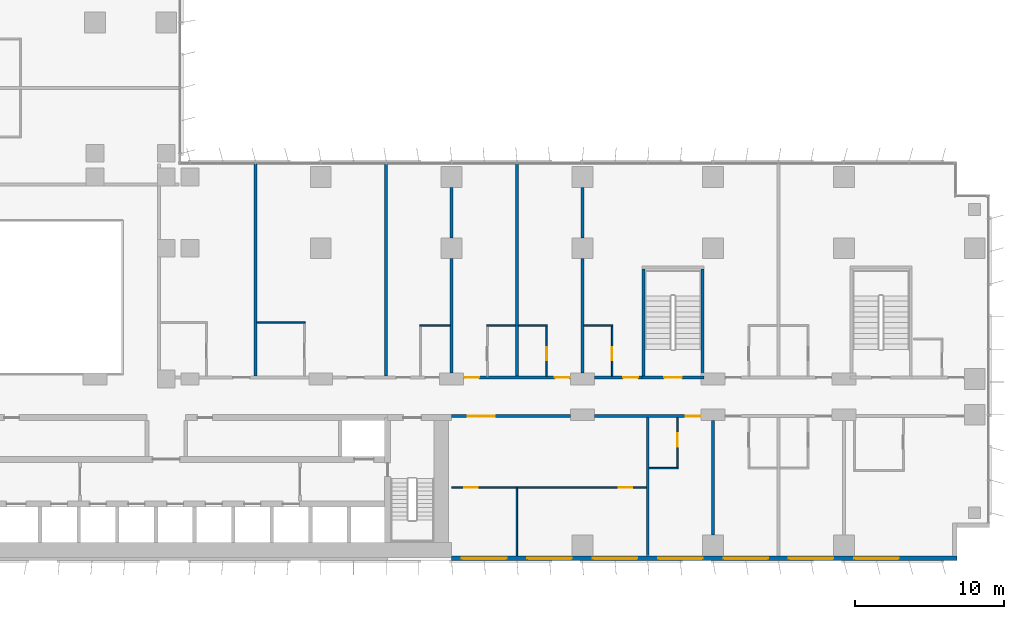
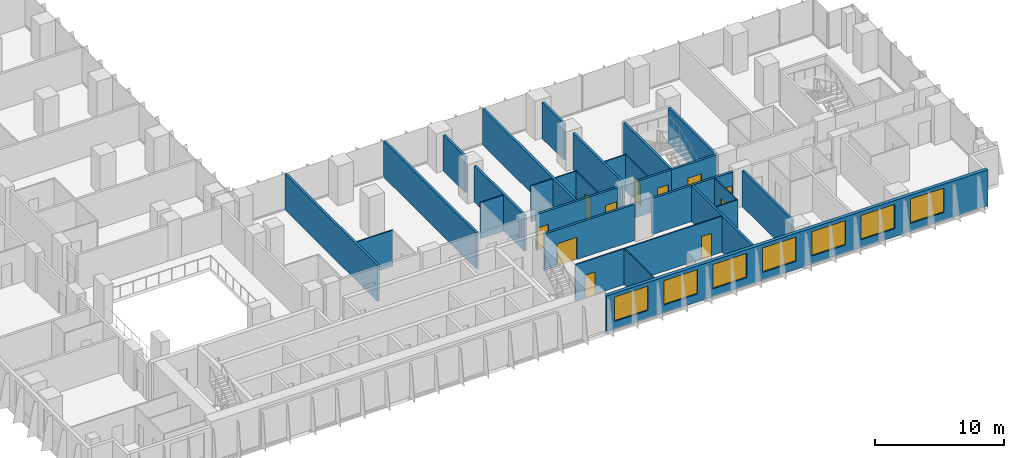
# One storey, part 14 of 24: 28 walls, 11 doors, 7 windows, 18 openings.
"""IFC4 building model written with IfcOpenShell, lengths in metres."""

from ifc_helpers import new_model, si_unit, direction, frame, frame_2d, origin, place, context, subcontext, project, spatial, rectangle, extrude, material, layer, layer_set, type_object, element, fill, save


model = new_model("IFC4")

# Units and contexts
model_context = context("Model", 3, precision=1e-05, world=origin(), true_north=direction((0.0, 1.0)))
body_context = subcontext(model_context, "Body", "Model", "MODEL_VIEW")
ifc_project = project(units=[si_unit("LENGTHUNIT", "METRE"), si_unit("AREAUNIT", "SQUARE_METRE"), si_unit("VOLUMEUNIT", "CUBIC_METRE"), si_unit("PLANEANGLEUNIT", "RADIAN"), si_unit("MASSUNIT", "GRAM", prefix="KILO")], contexts=[model_context])

# Site, building, storey
site_placement = place(None, origin())
site = spatial("IfcSite", under=ifc_project, at=site_placement, CompositionType="ELEMENT")
building_placement = place(site_placement, origin())
building = spatial("IfcBuilding", under=site, at=building_placement, Name="Kemantara Hotel Tower", CompositionType="ELEMENT")
storey_placement = place(building_placement, frame((0.0, 0.0, 48.800048828125)))
storey = spatial("IfcBuildingStorey", under=building, at=storey_placement, Name="L10", CompositionType="ELEMENT", Elevation=48.800048828125)

# Wall, openings, windows
ifc_material_1 = material(Name="Bronze anodised aluminium cladding on insulated steel stud wall", Category="steel")
ifc_layer_1 = layer(ifc_material_1, 0.300048828125)
ifc_layer_set_1 = layer_set([ifc_layer_1], Name="Bronze anodised aluminium cladding on insulated steel stud wall")
wall_type_1 = type_object("IfcWallType", Name="BRONZE METAL-CLAD EXTERNAL WALL 300", PredefinedType="STANDARD", material=ifc_layer_set_1)
wall_1_placement = place(storey_placement, frame((45.0, 0.14990234375, 0.0), z_axis=(0.0, 0.0, 1.0), x_axis=(1.0, 0.0, 0.0)))
wall_1 = element("IfcWall", 1, at=wall_1_placement, inside=storey, type_object=wall_type_1, Name="EXTERNAL WALL L10 T1-R01-3", PredefinedType="STANDARD", context=body_context, shape_type="SweptSolid", body=[
    extrude(rectangle(XDim=34.0, YDim=0.300048828125, at=frame_2d((17.0, 0.0))), origin(), (0.0, 0.0, 1.0), 3.39990234375),
])
opening_1_placement = place(wall_1_placement, frame((0.699951171875, 0.0, 0.75)))
opening_1 = element("IfcOpeningElement", 2, at=opening_1_placement, cuts=wall_1, Name="Opening W1", PredefinedType="OPENING", context=body_context, shape_type="SweptSolid", body=[
    extrude(rectangle(XDim=3.0, YDim=2.300048828125, at=frame_2d((1.5, 1.14990234375))), frame((0.0, 0.159912109375, 0.0), z_axis=(0.0, -1.0, 0.0), x_axis=(1.0, 0.0, 0.0)), (0.0, 0.0, 1.0), 0.320068359375),
])
opening_2_placement = place(wall_1_placement, frame((5.10009765625, 0.0, 0.75)))
opening_2 = element("IfcOpeningElement", 3, at=opening_2_placement, cuts=wall_1, Name="Opening W1", PredefinedType="OPENING", context=body_context, shape_type="SweptSolid", body=[
    extrude(rectangle(XDim=3.0, YDim=2.300048828125, at=frame_2d((1.5, 1.14990234375))), frame((0.0, 0.159912109375, 0.0), z_axis=(0.0, -1.0, 0.0), x_axis=(1.0, 0.0, 0.0)), (0.0, 0.0, 1.0), 0.320068359375),
])
opening_3_placement = place(wall_1_placement, frame((9.5, 0.0, 0.75)))
opening_3 = element("IfcOpeningElement", 4, at=opening_3_placement, cuts=wall_1, Name="Opening W1", PredefinedType="OPENING", context=body_context, shape_type="SweptSolid", body=[
    extrude(rectangle(XDim=3.0, YDim=2.300048828125, at=frame_2d((1.5, 1.14990234375))), frame((0.0, 0.159912109375, 0.0), z_axis=(0.0, -1.0, 0.0), x_axis=(1.0, 0.0, 0.0)), (0.0, 0.0, 1.0), 0.320068359375),
])
opening_4_placement = place(wall_1_placement, frame((13.89990234375, 0.0, 0.75)))
opening_4 = element("IfcOpeningElement", 5, at=opening_4_placement, cuts=wall_1, Name="Opening W1", PredefinedType="OPENING", context=body_context, shape_type="SweptSolid", body=[
    extrude(rectangle(XDim=3.0, YDim=2.300048828125, at=frame_2d((1.5, 1.14990234375))), frame((0.0, 0.159912109375, 0.0), z_axis=(0.0, -1.0, 0.0), x_axis=(1.0, 0.0, 0.0)), (0.0, 0.0, 1.0), 0.320068359375),
])
opening_5_placement = place(wall_1_placement, frame((18.300048828125, 0.0, 0.75)))
opening_5 = element("IfcOpeningElement", 6, at=opening_5_placement, cuts=wall_1, Name="Opening W1", PredefinedType="OPENING", context=body_context, shape_type="SweptSolid", body=[
    extrude(rectangle(XDim=3.0, YDim=2.300048828125, at=frame_2d((1.5, 1.14990234375))), frame((0.0, 0.159912109375, 0.0), z_axis=(0.0, -1.0, 0.0), x_axis=(1.0, 0.0, 0.0)), (0.0, 0.0, 1.0), 0.320068359375),
])
opening_6_placement = place(wall_1_placement, frame((22.699951171875, 0.0, 0.75)))
opening_6 = element("IfcOpeningElement", 7, at=opening_6_placement, cuts=wall_1, Name="Opening W1", PredefinedType="OPENING", context=body_context, shape_type="SweptSolid", body=[
    extrude(rectangle(XDim=3.0, YDim=2.300048828125, at=frame_2d((1.5, 1.14990234375))), frame((0.0, 0.159912109375, 0.0), z_axis=(0.0, -1.0, 0.0), x_axis=(1.0, 0.0, 0.0)), (0.0, 0.0, 1.0), 0.320068359375),
])
opening_7_placement = place(wall_1_placement, frame((27.10009765625, 0.0, 0.75)))
opening_7 = element("IfcOpeningElement", 8, at=opening_7_placement, cuts=wall_1, Name="Opening W1", PredefinedType="OPENING", context=body_context, shape_type="SweptSolid", body=[
    extrude(rectangle(XDim=3.0, YDim=2.300048828125, at=frame_2d((1.5, 1.14990234375))), frame((0.0, 0.159912109375, 0.0), z_axis=(0.0, -1.0, 0.0), x_axis=(1.0, 0.0, 0.0)), (0.0, 0.0, 1.0), 0.320068359375),
])
ifc_material_2 = material(Name="Low-E tinted double insulated glass in bronze anodised aluminium frame", Category="aluminium")
window_type = type_object("IfcWindowType", Name="CHICAGO WINDOW, TRIPLE PANEL 3000x2300", PartitioningType="TRIPLE_PANEL_VERTICAL", PredefinedType="WINDOW", material=ifc_material_2)
window_1_placement = place(opening_1_placement, origin())
window_1 = element("IfcWindow", 9, at=window_1_placement, inside=storey, type_object=window_type, Name="CHICAGO WINDOW L10 T1-R01-450", OverallHeight=2.300048828125, OverallWidth=3.0, PartitioningType="SINGLE_PANEL", PredefinedType="WINDOW", context=body_context, shape_type="SweptSolid", body=[
    extrude(rectangle(XDim=3.0, YDim=2.300048828125, at=frame_2d((1.5, 1.14990234375))), frame((0.0, 0.030029296875, 0.0), z_axis=(0.0, -1.0, 0.0), x_axis=(1.0, 0.0, 0.0)), (0.0, 0.0, 1.0), 0.06005859375),
])
fill(opening_1, window_1)
window_2_placement = place(opening_2_placement, origin())
window_2 = element("IfcWindow", 10, at=window_2_placement, inside=storey, type_object=window_type, Name="CHICAGO WINDOW L10 T1-R01-494", OverallHeight=2.300048828125, OverallWidth=3.0, PartitioningType="SINGLE_PANEL", PredefinedType="WINDOW", context=body_context, shape_type="SweptSolid", body=[
    extrude(rectangle(XDim=3.0, YDim=2.300048828125, at=frame_2d((1.5, 1.14990234375))), frame((0.0, 0.030029296875, 0.0), z_axis=(0.0, -1.0, 0.0), x_axis=(1.0, 0.0, 0.0)), (0.0, 0.0, 1.0), 0.06005859375),
])
fill(opening_2, window_2)
window_3_placement = place(opening_3_placement, origin())
window_3 = element("IfcWindow", 11, at=window_3_placement, inside=storey, type_object=window_type, Name="CHICAGO WINDOW L10 T1-R01-538", OverallHeight=2.300048828125, OverallWidth=3.0, PartitioningType="SINGLE_PANEL", PredefinedType="WINDOW", context=body_context, shape_type="SweptSolid", body=[
    extrude(rectangle(XDim=3.0, YDim=2.300048828125, at=frame_2d((1.5, 1.14990234375))), frame((0.0, 0.030029296875, 0.0), z_axis=(0.0, -1.0, 0.0), x_axis=(1.0, 0.0, 0.0)), (0.0, 0.0, 1.0), 0.06005859375),
])
fill(opening_3, window_3)
window_4_placement = place(opening_4_placement, origin())
window_4 = element("IfcWindow", 12, at=window_4_placement, inside=storey, type_object=window_type, Name="CHICAGO WINDOW L10 T1-R01-582", OverallHeight=2.300048828125, OverallWidth=3.0, PartitioningType="SINGLE_PANEL", PredefinedType="WINDOW", context=body_context, shape_type="SweptSolid", body=[
    extrude(rectangle(XDim=3.0, YDim=2.300048828125, at=frame_2d((1.5, 1.14990234375))), frame((0.0, 0.030029296875, 0.0), z_axis=(0.0, -1.0, 0.0), x_axis=(1.0, 0.0, 0.0)), (0.0, 0.0, 1.0), 0.06005859375),
])
fill(opening_4, window_4)
window_5_placement = place(opening_5_placement, origin())
window_5 = element("IfcWindow", 13, at=window_5_placement, inside=storey, type_object=window_type, Name="CHICAGO WINDOW L10 T1-R01-626", OverallHeight=2.300048828125, OverallWidth=3.0, PartitioningType="SINGLE_PANEL", PredefinedType="WINDOW", context=body_context, shape_type="SweptSolid", body=[
    extrude(rectangle(XDim=3.0, YDim=2.300048828125, at=frame_2d((1.5, 1.14990234375))), frame((0.0, 0.030029296875, 0.0), z_axis=(0.0, -1.0, 0.0), x_axis=(1.0, 0.0, 0.0)), (0.0, 0.0, 1.0), 0.06005859375),
])
fill(opening_5, window_5)
window_6_placement = place(opening_6_placement, origin())
window_6 = element("IfcWindow", 14, at=window_6_placement, inside=storey, type_object=window_type, Name="CHICAGO WINDOW L10 T1-R01-670", OverallHeight=2.300048828125, OverallWidth=3.0, PartitioningType="SINGLE_PANEL", PredefinedType="WINDOW", context=body_context, shape_type="SweptSolid", body=[
    extrude(rectangle(XDim=3.0, YDim=2.300048828125, at=frame_2d((1.5, 1.14990234375))), frame((0.0, 0.030029296875, 0.0), z_axis=(0.0, -1.0, 0.0), x_axis=(1.0, 0.0, 0.0)), (0.0, 0.0, 1.0), 0.06005859375),
])
fill(opening_6, window_6)
window_7_placement = place(opening_7_placement, origin())
window_7 = element("IfcWindow", 15, at=window_7_placement, inside=storey, type_object=window_type, Name="CHICAGO WINDOW L10 T1-R01-714", OverallHeight=2.300048828125, OverallWidth=3.0, PartitioningType="SINGLE_PANEL", PredefinedType="WINDOW", context=body_context, shape_type="SweptSolid", body=[
    extrude(rectangle(XDim=3.0, YDim=2.300048828125, at=frame_2d((1.5, 1.14990234375))), frame((0.0, 0.030029296875, 0.0), z_axis=(0.0, -1.0, 0.0), x_axis=(1.0, 0.0, 0.0)), (0.0, 0.0, 1.0), 0.06005859375),
])
fill(opening_7, window_7)

# Wall, opening, door
ifc_material_3 = material(Name="Gypsum board partition, steel studs and mineral wool, 200 mm", Category="steel")
ifc_layer_2 = layer(ifc_material_3, 0.199951171875)
ifc_layer_set_2 = layer_set([ifc_layer_2], Name="Gypsum board partition, steel studs and mineral wool, 200 mm")
wall_type_2 = type_object("IfcWallType", Name="CORRIDOR WALL 200", PredefinedType="PARTITIONING", material=ifc_layer_set_2)
wall_2_placement = place(storey_placement, frame((53.0, 9.699951171875, 0.0), z_axis=(0.0, 0.0, 1.0), x_axis=(-1.0, 0.0, 0.0)))
wall_2 = element("IfcWall", 16, at=wall_2_placement, inside=storey, type_object=wall_type_2, Name="CORRIDOR WALL 200 001", PredefinedType="PARTITIONING", context=body_context, shape_type="SweptSolid", body=[
    extrude(rectangle(XDim=8.0, YDim=0.199951171875, at=frame_2d((4.0, 0.0))), origin(), (0.0, 0.0, 1.0), 3.39990234375),
])
opening_8_placement = place(wall_2_placement, frame((5.099853515625, 0.0, 0.0)))
opening_8 = element("IfcOpeningElement", 17, at=opening_8_placement, cuts=wall_2, Name="Opening F03-001", PredefinedType="OPENING", context=body_context, shape_type="SweptSolid", body=[
    extrude(rectangle(XDim=1.800048828125, YDim=2.10009765625, at=frame_2d((0.89990234375, 1.050048828125))), frame((0.0, 0.10986328125, 0.0), z_axis=(0.0, -1.0, 0.0), x_axis=(1.0, 0.0, 0.0)), (0.0, 0.0, 1.0), 0.219970703125),
])
ifc_material_4 = material(Name="Hardwood veneer door leaf with steel frame", Category="steel")
door_type_1 = type_object("IfcDoorType", Name="AMENITY ROOM DOOR 1800 X 2100 FD30S", OperationType="NOTDEFINED", PredefinedType="DOOR", material=ifc_material_4)
door_1_placement = place(opening_8_placement, origin())
door_1 = element("IfcDoor", 18, at=door_1_placement, inside=storey, type_object=door_type_1, Name="AMENITY ROOM DOOR F03-001", OperationType="DOUBLE_DOOR_SINGLE_SWING", OverallHeight=2.10009765625, OverallWidth=1.800048828125, PredefinedType="DOOR", context=body_context, shape_type="SweptSolid", body=[
    extrude(rectangle(XDim=1.800048828125, YDim=2.10009765625, at=frame_2d((0.89990234375, 1.050048828125))), frame((0.0, 0.02490234375, 0.0), z_axis=(0.0, -1.0, 0.0), x_axis=(1.0, 0.0, 0.0)), (0.0, 0.0, 1.0), 0.050048828125),
])
fill(opening_8, door_1)

wall_3_placement = place(storey_placement, frame((61.7998046875, 9.699951171875, 0.0), z_axis=(0.0, 0.0, 1.0), x_axis=(-1.0, 0.0, 0.0)))
wall_3 = element("IfcWall", 19, at=wall_3_placement, inside=storey, type_object=wall_type_2, Name="CORRIDOR WALL 200 002", PredefinedType="PARTITIONING", context=body_context, shape_type="SweptSolid", body=[
    extrude(rectangle(XDim=7.19970703125, YDim=0.199951171875, at=frame_2d((3.599853515625, 0.0))), origin(), (0.0, 0.0, 1.0), 3.39990234375),
])
opening_9_placement = place(wall_3_placement, frame((0.0498046875, 0.0, 0.0)))
opening_9 = element("IfcOpeningElement", 20, at=opening_9_placement, cuts=wall_3, Name="Opening F03-004", PredefinedType="OPENING", context=body_context, shape_type="SweptSolid", body=[
    extrude(rectangle(XDim=1.0, YDim=2.10009765625, at=frame_2d((0.5, 1.050048828125))), frame((0.0, 0.10986328125, 0.0), z_axis=(0.0, -1.0, 0.0), x_axis=(1.0, 0.0, 0.0)), (0.0, 0.0, 1.0), 0.219970703125),
])
door_type_2 = type_object("IfcDoorType", Name="GUEST ROOM DOOR 1000 X 2100 FD30S", OperationType="NOTDEFINED", PredefinedType="DOOR", material=ifc_material_4)
door_2_placement = place(opening_9_placement, origin())
door_2 = element("IfcDoor", 21, at=door_2_placement, inside=storey, type_object=door_type_2, Name="GUEST ROOM DOOR F03-004", OperationType="SINGLE_SWING_LEFT", OverallHeight=2.10009765625, OverallWidth=1.0, PredefinedType="DOOR", context=body_context, shape_type="SweptSolid", body=[
    extrude(rectangle(XDim=1.0, YDim=2.10009765625, at=frame_2d((0.5, 1.050048828125))), frame((0.0, 0.02490234375, 0.0), z_axis=(0.0, -1.0, 0.0), x_axis=(1.0, 0.0, 0.0)), (0.0, 0.0, 1.0), 0.050048828125),
])
fill(opening_9, door_2)

# Wall, openings, doors
wall_4_placement = place(storey_placement, frame((45.800048828125, 12.300048828125, 0.0), z_axis=(0.0, 0.0, 1.0), x_axis=(1.0, 0.0, 0.0)))
wall_4 = element("IfcWall", 22, at=wall_4_placement, inside=storey, type_object=wall_type_2, Name="CORRIDOR WALL 200 013", PredefinedType="PARTITIONING", context=body_context, shape_type="SweptSolid", body=[
    extrude(rectangle(XDim=7.199951171875, YDim=0.199951171875, at=frame_2d((3.60009765625, 0.0))), origin(), (0.0, 0.0, 1.0), 3.39990234375),
])
opening_10_placement = place(wall_4_placement, frame((0.0498046875, 0.0, 0.0)))
opening_10 = element("IfcOpeningElement", 23, at=opening_10_placement, cuts=wall_4, Name="Opening F03-018", PredefinedType="OPENING", context=body_context, shape_type="SweptSolid", body=[
    extrude(rectangle(XDim=1.0, YDim=2.10009765625, at=frame_2d((0.5, 1.050048828125))), frame((0.0, 0.10986328125, 0.0), z_axis=(0.0, -1.0, 0.0), x_axis=(1.0, 0.0, 0.0)), (0.0, 0.0, 1.0), 0.219970703125),
])
opening_11_placement = place(wall_4_placement, frame((6.14990234375, 0.0, 0.0)))
opening_11 = element("IfcOpeningElement", 24, at=opening_11_placement, cuts=wall_4, Name="Opening F03-020", PredefinedType="OPENING", context=body_context, shape_type="SweptSolid", body=[
    extrude(rectangle(XDim=1.0, YDim=2.10009765625, at=frame_2d((0.5, 1.050048828125))), frame((0.0, 0.10986328125, 0.0), z_axis=(0.0, -1.0, 0.0), x_axis=(1.0, 0.0, 0.0)), (0.0, 0.0, 1.0), 0.219970703125),
])
door_3_placement = place(opening_10_placement, origin())
door_3 = element("IfcDoor", 25, at=door_3_placement, inside=storey, type_object=door_type_2, Name="GUEST ROOM DOOR F03-018", OperationType="SINGLE_SWING_LEFT", OverallHeight=2.10009765625, OverallWidth=1.0, PredefinedType="DOOR", context=body_context, shape_type="SweptSolid", body=[
    extrude(rectangle(XDim=1.0, YDim=2.10009765625, at=frame_2d((0.5, 1.050048828125))), frame((0.0, 0.02490234375, 0.0), z_axis=(0.0, -1.0, 0.0), x_axis=(1.0, 0.0, 0.0)), (0.0, 0.0, 1.0), 0.050048828125),
])
fill(opening_10, door_3)
door_4_placement = place(opening_11_placement, origin())
door_4 = element("IfcDoor", 26, at=door_4_placement, inside=storey, type_object=door_type_2, Name="GUEST ROOM DOOR F03-020", OperationType="SINGLE_SWING_RIGHT", OverallHeight=2.10009765625, OverallWidth=1.0, PredefinedType="DOOR", context=body_context, shape_type="SweptSolid", body=[
    extrude(rectangle(XDim=1.0, YDim=2.10009765625, at=frame_2d((0.5, 1.050048828125))), frame((0.0, 0.02490234375, 0.0), z_axis=(0.0, -1.0, 0.0), x_axis=(1.0, 0.0, 0.0)), (0.0, 0.0, 1.0), 0.050048828125),
])
fill(opening_11, door_4)

# Wall, opening, door
wall_5_placement = place(storey_placement, frame((54.60009765625, 12.300048828125, 0.0), z_axis=(0.0, 0.0, 1.0), x_axis=(1.0, 0.0, 0.0)))
wall_5 = element("IfcWall", 27, at=wall_5_placement, inside=storey, type_object=wall_type_2, Name="CORRIDOR WALL 200 014", PredefinedType="PARTITIONING", context=body_context, shape_type="SweptSolid", body=[
    extrude(rectangle(XDim=3.199951171875, YDim=0.199951171875, at=frame_2d((1.60009765625, 0.0))), origin(), (0.0, 0.0, 1.0), 3.39990234375),
])
opening_12_placement = place(wall_5_placement, frame((1.949951171875, 0.0, 0.0)))
opening_12 = element("IfcOpeningElement", 28, at=opening_12_placement, cuts=wall_5, Name="Opening F03-022", PredefinedType="OPENING", context=body_context, shape_type="SweptSolid", body=[
    extrude(rectangle(XDim=1.0, YDim=2.10009765625, at=frame_2d((0.5, 1.050048828125))), frame((0.0, 0.10986328125, 0.0), z_axis=(0.0, -1.0, 0.0), x_axis=(1.0, 0.0, 0.0)), (0.0, 0.0, 1.0), 0.219970703125),
])
door_5_placement = place(opening_12_placement, origin())
door_5 = element("IfcDoor", 29, at=door_5_placement, inside=storey, type_object=door_type_2, Name="GUEST ROOM DOOR F03-022", OperationType="SINGLE_SWING_RIGHT", OverallHeight=2.10009765625, OverallWidth=1.0, PredefinedType="DOOR", context=body_context, shape_type="SweptSolid", body=[
    extrude(rectangle(XDim=1.0, YDim=2.10009765625, at=frame_2d((0.5, 1.050048828125))), frame((0.0, 0.02490234375, 0.0), z_axis=(0.0, -1.0, 0.0), x_axis=(1.0, 0.0, 0.0)), (0.0, 0.0, 1.0), 0.050048828125),
])
fill(opening_12, door_5)

ifc_material_5 = material(Name="Concrete fc 40 MPa", Category="concrete")
ifc_layer_3 = layer(ifc_material_5, 0.199951171875)
ifc_layer_set_3 = layer_set([ifc_layer_3], Name="Concrete fc 40 MPa")
wall_type_3 = type_object("IfcWallType", Name="Concrete stair wall 200 mm", PredefinedType="SHEAR", material=ifc_layer_set_3)
wall_6_placement = place(storey_placement, frame((57.800048828125, 12.300048828125, 0.0), z_axis=(0.0, 0.0, 1.0), x_axis=(1.0, 0.0, 0.0)))
wall_6 = element("IfcWall", 30, at=wall_6_placement, inside=storey, type_object=wall_type_3, Name="Stair ST3 enclosure wall with door", PredefinedType="SHEAR", context=body_context, shape_type="SweptSolid", body=[
    extrude(rectangle(XDim=4.199951171875, YDim=0.199951171875, at=frame_2d((2.10009765625, 0.0))), origin(), (0.0, 0.0, 1.0), 3.39990234375),
])
opening_13_placement = place(wall_6_placement, frame((1.5, 0.0, 0.0)))
opening_13 = element("IfcOpeningElement", 31, at=opening_13_placement, cuts=wall_6, Name="Opening ST3-C", PredefinedType="OPENING", context=body_context, shape_type="SweptSolid", body=[
    extrude(rectangle(XDim=1.199951171875, YDim=2.10009765625, at=frame_2d((0.60009765625, 1.050048828125))), frame((0.0, 0.10986328125, 0.0), z_axis=(0.0, -1.0, 0.0), x_axis=(1.0, 0.0, 0.0)), (0.0, 0.0, 1.0), 0.219970703125),
])
ifc_material_6 = material(Name="Steel fire door", Category="steel")
door_type_3 = type_object("IfcDoorType", Name="Fire door FD90 1200 x 2100", OperationType="NOTDEFINED", PredefinedType="DOOR", material=ifc_material_6)
door_6_placement = place(opening_13_placement, origin())
door_6 = element("IfcDoor", 32, at=door_6_placement, inside=storey, type_object=door_type_3, Name="Stair ST3 door", OperationType="SINGLE_SWING_RIGHT", OverallHeight=2.10009765625, OverallWidth=1.199951171875, PredefinedType="DOOR", context=body_context, shape_type="SweptSolid", body=[
    extrude(rectangle(XDim=1.199951171875, YDim=2.10009765625, at=frame_2d((0.60009765625, 1.050048828125))), frame((0.0, 0.02490234375, 0.0), z_axis=(0.0, -1.0, 0.0), x_axis=(1.0, 0.0, 0.0)), (0.0, 0.0, 1.0), 0.050048828125),
])
fill(opening_13, door_6)

# Walls
for number, where, z_axis, x_axis, name in (
    (33, (57.89990234375, 12.39990234375, 0.0), (0.0, 0.0, 1.0), (0.0, 1.0, 0.0), "Stair ST3 enclosure wall W"),
    (34, (61.89990234375, 12.39990234375, 0.0), (0.0, 0.0, 1.0), (0.0, 1.0, 0.0), "Stair ST3 enclosure wall E"),
):
    element("IfcWall", number, at=place(storey_placement, frame(where, z_axis=z_axis, x_axis=x_axis)), inside=storey, type_object=wall_type_3, Name=name, PredefinedType="SHEAR", context=body_context, shape_type="SweptSolid", body=[
        extrude(rectangle(XDim=7.2001953125, YDim=0.199951171875, at=frame_2d((3.60009765625, 0.0))), origin(), (0.0, 0.0, 1.0), 3.39990234375),
    ])
ifc_layer_4 = layer(ifc_material_3, 0.199951171875)
ifc_layer_set_4 = layer_set([ifc_layer_4], Name="Gypsum board partition, steel studs and mineral wool, 200 mm")
wall_type_4 = type_object("IfcWallType", Name="GUEST ROOM PARTY WALL 200", PredefinedType="PARTITIONING", material=ifc_layer_set_4)
wall_7_placement = place(storey_placement, frame((58.199951171875, 0.31005859375, 0.0), z_axis=(0.0, 0.0, 1.0), x_axis=(0.0, 1.0, 0.0)))
element("IfcWall", 35, at=wall_7_placement, inside=storey, type_object=wall_type_4, Name="GUEST ROOM PARTY WALL 200 005", PredefinedType="PARTITIONING", context=body_context, shape_type="SweptSolid", body=[
    extrude(rectangle(XDim=9.2900390625, YDim=0.199951171875, at=frame_2d((4.64501953125, 0.0))), origin(), (0.0, 0.0, 1.0), 3.39990234375),
])
wall_8_placement = place(storey_placement, frame((62.60009765625, 1.7001953125, 0.0), z_axis=(0.0, 0.0, 1.0), x_axis=(0.0, 1.0, 0.0)))
element("IfcWall", 36, at=wall_8_placement, inside=storey, type_object=wall_type_4, Name="GUEST ROOM PARTY WALL 200 006", PredefinedType="PARTITIONING", context=body_context, shape_type="SweptSolid", body=[
    extrude(rectangle(XDim=7.69970703125, YDim=0.199951171875, at=frame_2d((3.849853515625, 0.0))), origin(), (0.0, 0.0, 1.0), 3.39990234375),
])
for number, where, z_axis, x_axis, name in (
    (37, (31.800048828125, 12.39990234375, 0.0), (0.0, 0.0, 1.0), (0.0, 1.0, 0.0), "GUEST ROOM PARTY WALL 200 020"),
    (38, (40.60009765625, 12.39990234375, 0.0), (0.0, 0.0, 1.0), (0.0, 1.0, 0.0), "GUEST ROOM PARTY WALL 200 021"),
):
    element("IfcWall", number, at=place(storey_placement, frame(where, z_axis=z_axis, x_axis=x_axis)), inside=storey, type_object=wall_type_4, Name=name, PredefinedType="PARTITIONING", context=body_context, shape_type="SweptSolid", body=[
        extrude(rectangle(XDim=14.27001953125, YDim=0.199951171875, at=frame_2d((7.135009765625, 0.0))), origin(), (0.0, 0.0, 1.0), 3.39990234375),
    ])
wall_9_placement = place(storey_placement, frame((45.0, 12.60009765625, 0.0), z_axis=(0.0, 0.0, 1.0), x_axis=(0.0, 1.0, 0.0)))
element("IfcWall", 39, at=wall_9_placement, inside=storey, type_object=wall_type_4, Name="GUEST ROOM PARTY WALL 200 022", PredefinedType="PARTITIONING", context=body_context, shape_type="SweptSolid", body=[
    extrude(rectangle(XDim=7.69970703125, YDim=0.199951171875, at=frame_2d((3.849853515625, 0.0))), origin(), (0.0, 0.0, 1.0), 3.39990234375),
])
wall_10_placement = place(storey_placement, frame((45.0, 21.7001953125, 0.0), z_axis=(0.0, 0.0, 1.0), x_axis=(0.0, 1.0, 0.0)))
element("IfcWall", 40, at=wall_10_placement, inside=storey, type_object=wall_type_4, Name="GUEST ROOM PARTY WALL 200 023", PredefinedType="PARTITIONING", context=body_context, shape_type="SweptSolid", body=[
    extrude(rectangle(XDim=3.399658203125, YDim=0.199951171875, at=frame_2d((1.69970703125, 0.0))), origin(), (0.0, 0.0, 1.0), 3.39990234375),
])
wall_11_placement = place(storey_placement, frame((49.39990234375, 12.39990234375, 0.0), z_axis=(0.0, 0.0, 1.0), x_axis=(0.0, 1.0, 0.0)))
element("IfcWall", 41, at=wall_11_placement, inside=storey, type_object=wall_type_4, Name="GUEST ROOM PARTY WALL 200 024", PredefinedType="PARTITIONING", context=body_context, shape_type="SweptSolid", body=[
    extrude(rectangle(XDim=14.27001953125, YDim=0.199951171875, at=frame_2d((7.135009765625, 0.0))), origin(), (0.0, 0.0, 1.0), 3.39990234375),
])
wall_12_placement = place(storey_placement, frame((53.800048828125, 12.60009765625, 0.0), z_axis=(0.0, 0.0, 1.0), x_axis=(0.0, 1.0, 0.0)))
element("IfcWall", 42, at=wall_12_placement, inside=storey, type_object=wall_type_4, Name="GUEST ROOM PARTY WALL 200 025", PredefinedType="PARTITIONING", context=body_context, shape_type="SweptSolid", body=[
    extrude(rectangle(XDim=7.69970703125, YDim=0.199951171875, at=frame_2d((3.849853515625, 0.0))), origin(), (0.0, 0.0, 1.0), 3.39990234375),
])
wall_13_placement = place(storey_placement, frame((53.800048828125, 21.7001953125, 0.0), z_axis=(0.0, 0.0, 1.0), x_axis=(0.0, 1.0, 0.0)))
element("IfcWall", 43, at=wall_13_placement, inside=storey, type_object=wall_type_4, Name="GUEST ROOM PARTY WALL 200 026", PredefinedType="PARTITIONING", context=body_context, shape_type="SweptSolid", body=[
    extrude(rectangle(XDim=3.399658203125, YDim=0.199951171875, at=frame_2d((1.69970703125, 0.0))), origin(), (0.0, 0.0, 1.0), 3.39990234375),
])

# Wall, openings, doors
ifc_material_7 = material(Name="Gypsum board partition on steel studs, 100 mm", Category="steel")
ifc_layer_5 = layer(ifc_material_7, 0.10009765625)
ifc_layer_set_5 = layer_set([ifc_layer_5], Name="Gypsum board partition on steel studs, 100 mm")
wall_type_5 = type_object("IfcWallType", Name="ROOM PARTITION 100", PredefinedType="PARTITIONING", material=ifc_layer_set_5)
wall_14_placement = place(storey_placement, frame((58.10009765625, 4.89990234375, 0.0), z_axis=(0.0, 0.0, 1.0), x_axis=(-1.0, 0.0, 0.0)))
wall_14 = element("IfcWall", 44, at=wall_14_placement, inside=storey, type_object=wall_type_5, Name="ROOM PARTITION 100 062", PredefinedType="PARTITIONING", context=body_context, shape_type="SweptSolid", body=[
    extrude(rectangle(XDim=13.10009765625, YDim=0.10009765625, at=frame_2d((6.550048828125, 0.0))), origin(), (0.0, 0.0, 1.0), 3.39990234375),
])
opening_14_placement = place(wall_14_placement, frame((11.35009765625, 0.0, 0.0)))
opening_14 = element("IfcOpeningElement", 45, at=opening_14_placement, cuts=wall_14, Name="Opening F03-002", PredefinedType="OPENING", context=body_context, shape_type="SweptSolid", body=[
    extrude(rectangle(XDim=0.89990234375, YDim=2.10009765625, at=frame_2d((0.449951171875, 1.050048828125))), frame((0.0, 0.06005859375, 0.0), z_axis=(0.0, -1.0, 0.0), x_axis=(1.0, 0.0, 0.0)), (0.0, 0.0, 1.0), 0.1201171875),
])
opening_15_placement = place(wall_14_placement, frame((0.949951171875, 0.0, 0.0)))
opening_15 = element("IfcOpeningElement", 46, at=opening_15_placement, cuts=wall_14, Name="Opening F03-003", PredefinedType="OPENING", context=body_context, shape_type="SweptSolid", body=[
    extrude(rectangle(XDim=0.89990234375, YDim=2.10009765625, at=frame_2d((0.449951171875, 1.050048828125))), frame((0.0, 0.06005859375, 0.0), z_axis=(0.0, -1.0, 0.0), x_axis=(1.0, 0.0, 0.0)), (0.0, 0.0, 1.0), 0.1201171875),
])
door_type_4 = type_object("IfcDoorType", Name="INTERNAL DOOR 900 X 2100", OperationType="NOTDEFINED", PredefinedType="DOOR", material=ifc_material_4)
door_7_placement = place(opening_14_placement, origin())
door_7 = element("IfcDoor", 47, at=door_7_placement, inside=storey, type_object=door_type_4, Name="INTERNAL DOOR F03-002", OperationType="SINGLE_SWING_RIGHT", OverallHeight=2.10009765625, OverallWidth=0.89990234375, PredefinedType="DOOR", context=body_context, shape_type="SweptSolid", body=[
    extrude(rectangle(XDim=0.89990234375, YDim=2.10009765625, at=frame_2d((0.449951171875, 1.050048828125))), frame((0.0, 0.02490234375, 0.0), z_axis=(0.0, -1.0, 0.0), x_axis=(1.0, 0.0, 0.0)), (0.0, 0.0, 1.0), 0.050048828125),
])
fill(opening_14, door_7)
door_8_placement = place(opening_15_placement, origin())
door_8 = element("IfcDoor", 48, at=door_8_placement, inside=storey, type_object=door_type_4, Name="INTERNAL DOOR F03-003", OperationType="SINGLE_SWING_LEFT", OverallHeight=2.10009765625, OverallWidth=0.89990234375, PredefinedType="DOOR", context=body_context, shape_type="SweptSolid", body=[
    extrude(rectangle(XDim=0.89990234375, YDim=2.10009765625, at=frame_2d((0.449951171875, 1.050048828125))), frame((0.0, 0.02490234375, 0.0), z_axis=(0.0, -1.0, 0.0), x_axis=(1.0, 0.0, 0.0)), (0.0, 0.0, 1.0), 0.050048828125),
])
fill(opening_15, door_8)

# Walls
wall_15_placement = place(storey_placement, frame((49.39990234375, 0.31005859375, 0.0), z_axis=(0.0, 0.0, 1.0), x_axis=(0.0, 1.0, 0.0)))
element("IfcWall", 49, at=wall_15_placement, inside=storey, type_object=wall_type_5, Name="ROOM PARTITION 100 063", PredefinedType="PARTITIONING", context=body_context, shape_type="SweptSolid", body=[
    extrude(rectangle(XDim=4.5400390625, YDim=0.10009765625, at=frame_2d((2.27001953125, 0.0))), origin(), (0.0, 0.0, 1.0), 3.39990234375),
])
wall_16_placement = place(storey_placement, frame((58.300048828125, 6.199951171875, 0.0), z_axis=(0.0, 0.0, 1.0), x_axis=(1.0, 0.0, 0.0)))
element("IfcWall", 50, at=wall_16_placement, inside=storey, type_object=wall_type_5, Name="ROOM PARTITION 100 064", PredefinedType="PARTITIONING", context=body_context, shape_type="SweptSolid", body=[
    extrude(rectangle(XDim=1.949951171875, YDim=0.10009765625, at=frame_2d((0.97509765625, 0.0))), origin(), (0.0, 0.0, 1.0), 3.39990234375),
])

# Wall, opening, door
wall_17_placement = place(storey_placement, frame((60.199951171875, 6.25, 0.0), z_axis=(0.0, 0.0, 1.0), x_axis=(0.0, 1.0, 0.0)))
wall_17 = element("IfcWall", 51, at=wall_17_placement, inside=storey, type_object=wall_type_5, Name="ROOM PARTITION 100 067", PredefinedType="PARTITIONING", context=body_context, shape_type="SweptSolid", body=[
    extrude(rectangle(XDim=3.35009765625, YDim=0.10009765625, at=frame_2d((1.675048828125, 0.0))), origin(), (0.0, 0.0, 1.0), 3.39990234375),
])
opening_16_placement = place(wall_17_placement, frame((1.39990234375, 0.0, 0.0)))
opening_16 = element("IfcOpeningElement", 52, at=opening_16_placement, cuts=wall_17, Name="Opening F03-005", PredefinedType="OPENING", context=body_context, shape_type="SweptSolid", body=[
    extrude(rectangle(XDim=0.89990234375, YDim=2.10009765625, at=frame_2d((0.449951171875, 1.050048828125))), frame((0.0, 0.06005859375, 0.0), z_axis=(0.0, -1.0, 0.0), x_axis=(1.0, 0.0, 0.0)), (0.0, 0.0, 1.0), 0.1201171875),
])
door_type_5 = type_object("IfcDoorType", Name="BATHROOM DOOR 900 X 2100", OperationType="NOTDEFINED", PredefinedType="DOOR", material=ifc_material_4)
door_9_placement = place(opening_16_placement, origin())
door_9 = element("IfcDoor", 53, at=door_9_placement, inside=storey, type_object=door_type_5, Name="BATHROOM DOOR F03-005", OperationType="SINGLE_SWING_RIGHT", OverallHeight=2.10009765625, OverallWidth=0.89990234375, PredefinedType="DOOR", context=body_context, shape_type="SweptSolid", body=[
    extrude(rectangle(XDim=0.89990234375, YDim=2.10009765625, at=frame_2d((0.449951171875, 1.050048828125))), frame((0.0, 0.02490234375, 0.0), z_axis=(0.0, -1.0, 0.0), x_axis=(1.0, 0.0, 0.0)), (0.0, 0.0, 1.0), 0.050048828125),
])
fill(opening_16, door_9)

# Walls
wall_18_placement = place(storey_placement, frame((31.89990234375, 16.0, 0.0), z_axis=(0.0, 0.0, 1.0), x_axis=(1.0, 0.0, 0.0)))
element("IfcWall", 54, at=wall_18_placement, inside=storey, type_object=wall_type_5, Name="ROOM PARTITION 100 076", PredefinedType="PARTITIONING", context=body_context, shape_type="SweptSolid", body=[
    extrude(rectangle(XDim=3.25, YDim=0.10009765625, at=frame_2d((1.625, 0.0))), origin(), (0.0, 0.0, 1.0), 3.39990234375),
])
wall_19_placement = place(storey_placement, frame((42.85009765625, 15.800048828125, 0.0), z_axis=(0.0, 0.0, 1.0), x_axis=(1.0, 0.0, 0.0)))
element("IfcWall", 55, at=wall_19_placement, inside=storey, type_object=wall_type_5, Name="ROOM PARTITION 100 079", PredefinedType="PARTITIONING", context=body_context, shape_type="SweptSolid", body=[
    extrude(rectangle(XDim=2.0498046875, YDim=0.10009765625, at=frame_2d((1.02490234375, 0.0))), origin(), (0.0, 0.0, 1.0), 3.39990234375),
])
for number, where, z_axis, x_axis, name in (
    (56, (47.35009765625, 15.800048828125, 0.0), (0.0, 0.0, 1.0), (1.0, 0.0, 0.0), "ROOM PARTITION 100 080"),
    (57, (49.5, 15.800048828125, 0.0), (0.0, 0.0, 1.0), (1.0, 0.0, 0.0), "ROOM PARTITION 100 081"),
):
    element("IfcWall", number, at=place(storey_placement, frame(where, z_axis=z_axis, x_axis=x_axis)), inside=storey, type_object=wall_type_5, Name=name, PredefinedType="PARTITIONING", context=body_context, shape_type="SweptSolid", body=[
        extrude(rectangle(XDim=1.949951171875, YDim=0.10009765625, at=frame_2d((0.97509765625, 0.0))), origin(), (0.0, 0.0, 1.0), 3.39990234375),
    ])
wall_20_placement = place(storey_placement, frame((53.89990234375, 15.800048828125, 0.0), z_axis=(0.0, 0.0, 1.0), x_axis=(1.0, 0.0, 0.0)))
element("IfcWall", 58, at=wall_20_placement, inside=storey, type_object=wall_type_5, Name="ROOM PARTITION 100 082", PredefinedType="PARTITIONING", context=body_context, shape_type="SweptSolid", body=[
    extrude(rectangle(XDim=1.9501953125, YDim=0.10009765625, at=frame_2d((0.97509765625, 0.0))), origin(), (0.0, 0.0, 1.0), 3.39990234375),
])

# Wall, opening, door
wall_21_placement = place(storey_placement, frame((51.39990234375, 12.39990234375, 0.0), z_axis=(0.0, 0.0, 1.0), x_axis=(0.0, 1.0, 0.0)))
wall_21 = element("IfcWall", 59, at=wall_21_placement, inside=storey, type_object=wall_type_5, Name="ROOM PARTITION 100 087", PredefinedType="PARTITIONING", context=body_context, shape_type="SweptSolid", body=[
    extrude(rectangle(XDim=3.35009765625, YDim=0.10009765625, at=frame_2d((1.675048828125, 0.0))), origin(), (0.0, 0.0, 1.0), 3.39990234375),
])
opening_17_placement = place(wall_21_placement, frame((1.050048828125, 0.0, 0.0)))
opening_17 = element("IfcOpeningElement", 60, at=opening_17_placement, cuts=wall_21, Name="Opening F03-021", PredefinedType="OPENING", context=body_context, shape_type="SweptSolid", body=[
    extrude(rectangle(XDim=0.89990234375, YDim=2.10009765625, at=frame_2d((0.449951171875, 1.050048828125))), frame((0.0, 0.06005859375, 0.0), z_axis=(0.0, -1.0, 0.0), x_axis=(1.0, 0.0, 0.0)), (0.0, 0.0, 1.0), 0.1201171875),
])
door_10_placement = place(opening_17_placement, origin())
door_10 = element("IfcDoor", 61, at=door_10_placement, inside=storey, type_object=door_type_5, Name="BATHROOM DOOR F03-021", OperationType="SINGLE_SWING_LEFT", OverallHeight=2.10009765625, OverallWidth=0.89990234375, PredefinedType="DOOR", context=body_context, shape_type="SweptSolid", body=[
    extrude(rectangle(XDim=0.89990234375, YDim=2.10009765625, at=frame_2d((0.449951171875, 1.050048828125))), frame((0.0, 0.02490234375, 0.0), z_axis=(0.0, -1.0, 0.0), x_axis=(1.0, 0.0, 0.0)), (0.0, 0.0, 1.0), 0.050048828125),
])
fill(opening_17, door_10)

wall_22_placement = place(storey_placement, frame((55.800048828125, 12.39990234375, 0.0), z_axis=(0.0, 0.0, 1.0), x_axis=(0.0, 1.0, 0.0)))
wall_22 = element("IfcWall", 62, at=wall_22_placement, inside=storey, type_object=wall_type_5, Name="ROOM PARTITION 100 088", PredefinedType="PARTITIONING", context=body_context, shape_type="SweptSolid", body=[
    extrude(rectangle(XDim=3.35009765625, YDim=0.10009765625, at=frame_2d((1.675048828125, 0.0))), origin(), (0.0, 0.0, 1.0), 3.39990234375),
])
opening_18_placement = place(wall_22_placement, frame((1.050048828125, 0.0, 0.0)))
opening_18 = element("IfcOpeningElement", 63, at=opening_18_placement, cuts=wall_22, Name="Opening F03-023", PredefinedType="OPENING", context=body_context, shape_type="SweptSolid", body=[
    extrude(rectangle(XDim=0.89990234375, YDim=2.10009765625, at=frame_2d((0.449951171875, 1.050048828125))), frame((0.0, 0.06005859375, 0.0), z_axis=(0.0, -1.0, 0.0), x_axis=(1.0, 0.0, 0.0)), (0.0, 0.0, 1.0), 0.1201171875),
])
door_11_placement = place(opening_18_placement, origin())
door_11 = element("IfcDoor", 64, at=door_11_placement, inside=storey, type_object=door_type_5, Name="BATHROOM DOOR F03-023", OperationType="SINGLE_SWING_LEFT", OverallHeight=2.10009765625, OverallWidth=0.89990234375, PredefinedType="DOOR", context=body_context, shape_type="SweptSolid", body=[
    extrude(rectangle(XDim=0.89990234375, YDim=2.10009765625, at=frame_2d((0.449951171875, 1.050048828125))), frame((0.0, 0.02490234375, 0.0), z_axis=(0.0, -1.0, 0.0), x_axis=(1.0, 0.0, 0.0)), (0.0, 0.0, 1.0), 0.050048828125),
])
fill(opening_18, door_11)

save(model, "model.ifc")
